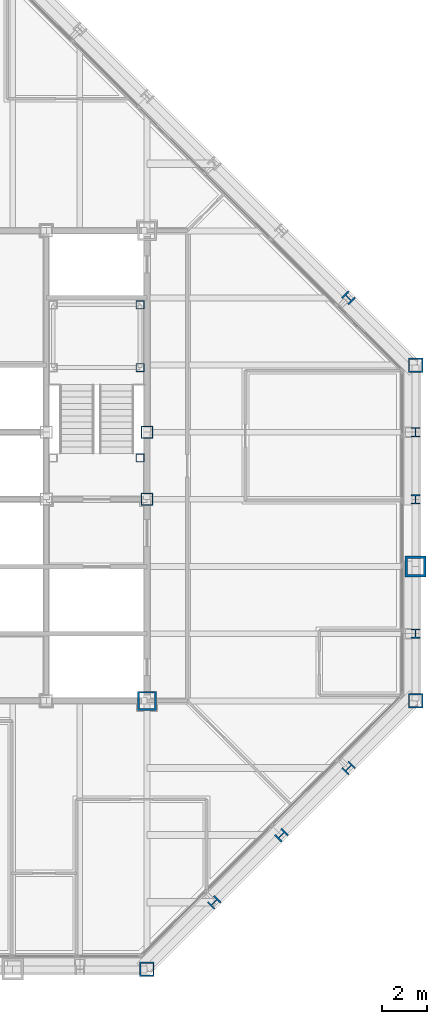
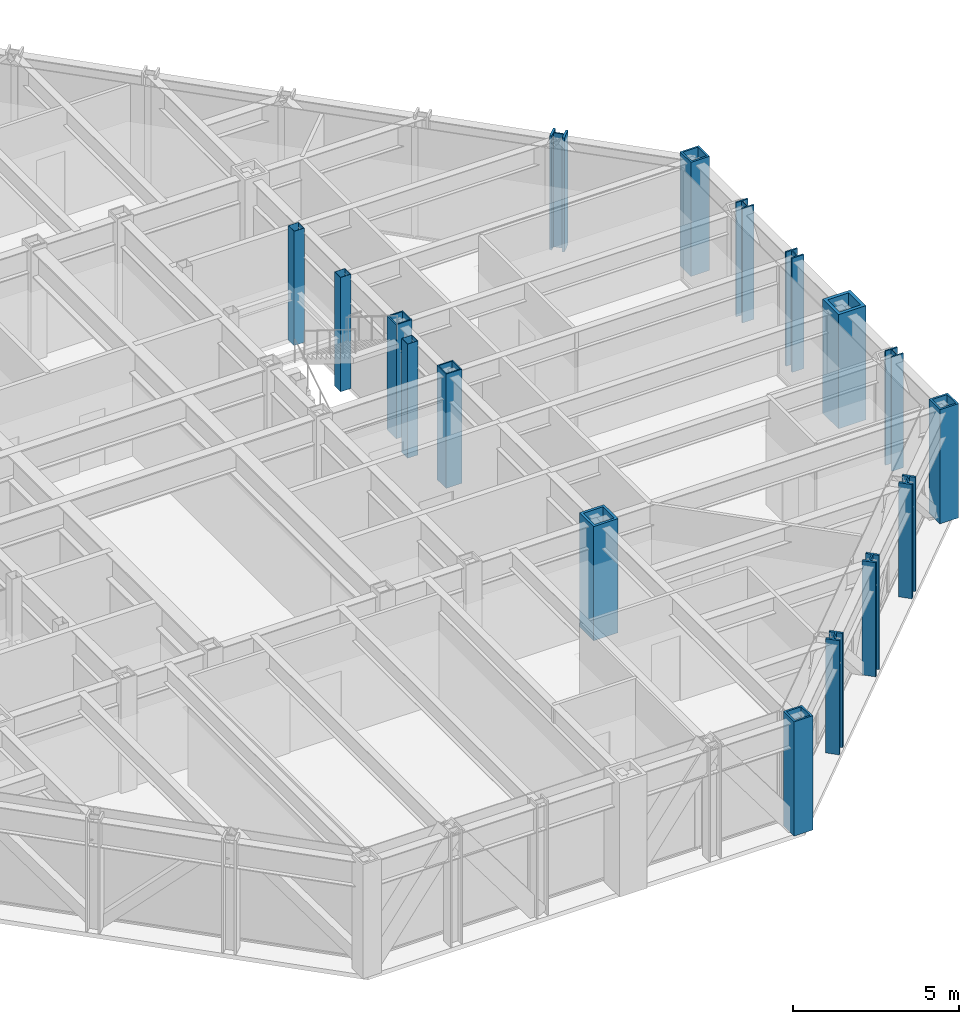
# One storey, part 3 of 16: 17 columns.
"""IFC4 building model written with IfcOpenShell, lengths in metres."""

import ifcopenshell
import ifcopenshell.guid

model = None  # the IFC model being written
_history = None  # IfcOwnerHistory: only IFC2X3 demands one
_inside = {}  # id of a spatial element -> (the spatial element, [elements in it])
_under = {}  # id of a project, library or spatial element -> (it, [spatial elements below it])
_declared = {}  # id of a project -> (the project, [libraries it declares])
_typed = {}  # id of a type object -> (the type object, [elements of that type])
_made_of = {}  # id of a material, layer set ... -> (it, [elements and type objects made of it])


def new_model(schema):
    """Start an empty IFC model of exactly this schema.

    Asked for "IFC4X3", IfcOpenShell would pick the latest addendum, in which some entities
    have other attributes; the version numbers below select the first issue.
    IFC2X3 requires an IfcOwnerHistory on every rooted entity: one is made here for all.
    """
    global model, _history
    if schema == "IFC4X3":
        model = ifcopenshell.file(schema_version=(4, 3, 0, 0))
    else:
        model = ifcopenshell.file(schema=schema)
    _inside.clear()
    _under.clear()
    _declared.clear()
    _typed.clear()
    _made_of.clear()
    _history = None
    if model.schema == "IFC2X3":
        org = make("IfcOrganization", Name="unknown")
        user = make(
            "IfcPersonAndOrganization",
            ThePerson=make("IfcPerson", FamilyName="unknown"),
            TheOrganization=org,
        )
        app = make(
            "IfcApplication",
            ApplicationDeveloper=org,
            Version="unknown",
            ApplicationFullName="unknown",
            ApplicationIdentifier="unknown",
        )
        _history = make(
            "IfcOwnerHistory",
            OwningUser=user,
            OwningApplication=app,
            ChangeAction="ADDED",
            CreationDate=0,
        )
    return model


def make(cls, **values):
    """One entity of the class cls with the attributes given. An attribute that is None is left unset."""
    return model.create_entity(
        cls, **{name: value for name, value in values.items() if value is not None}
    )


def rooted(cls, **values):
    """An entity with a GlobalId (a new one), such as an element, a storey or a relation."""
    return make(cls, GlobalId=ifcopenshell.guid.new(), OwnerHistory=_history, **values)


def si_unit(unit_type, name, prefix=None):
    """IfcSIUnit, for example si_unit("LENGTHUNIT", "METRE", prefix="MILLI")."""
    return make("IfcSIUnit", UnitType=unit_type, Prefix=prefix, Name=name)


def assignment(units):
    """IfcUnitAssignment: the units of a project."""
    return None if units is None else make("IfcUnitAssignment", Units=units)


def point(xyz):
    """IfcCartesianPoint."""
    return None if xyz is None else make("IfcCartesianPoint", Coordinates=xyz)


def direction(xyz):
    """IfcDirection."""
    return None if xyz is None else make("IfcDirection", DirectionRatios=xyz)


def frame(location, z_axis=None, x_axis=None):
    """IfcAxis2Placement3D, a coordinate frame: its origin and axes. An axis left out is left unset."""
    return make(
        "IfcAxis2Placement3D",
        Location=point(location),
        Axis=direction(z_axis),
        RefDirection=direction(x_axis),
    )


def frame_2d(location, x_axis=None):
    """IfcAxis2Placement2D, a coordinate frame in the plane: its origin and x axis."""
    return make(
        "IfcAxis2Placement2D", Location=point(location), RefDirection=direction(x_axis)
    )


def origin():
    """The frame at (0, 0, 0) with its axes left unset."""
    return frame((0.0, 0.0, 0.0))


def origin_2d():
    """The frame at (0, 0) in the plane with its x axis left unset."""
    return frame_2d((0.0, 0.0))


def place(relative_to, where):
    """IfcLocalPlacement: puts the frame where relative to a parent placement (None: the world)."""
    return make(
        "IfcLocalPlacement", PlacementRelTo=relative_to, RelativePlacement=where
    )


def context(
    kind, dimensions, precision=None, world=None, true_north=None, identifier=None
):
    """IfcGeometricRepresentationContext, for example the 3D "Model" context."""
    return make(
        "IfcGeometricRepresentationContext",
        ContextIdentifier=identifier,
        ContextType=kind,
        CoordinateSpaceDimension=dimensions,
        Precision=precision,
        WorldCoordinateSystem=world,
        TrueNorth=true_north,
    )


def subcontext(parent, identifier, kind, view, scale=None):
    """IfcGeometricRepresentationSubContext, for example "Body" below "Model"."""
    return make(
        "IfcGeometricRepresentationSubContext",
        ContextIdentifier=identifier,
        ContextType=kind,
        ParentContext=parent,
        TargetScale=scale,
        TargetView=view,
    )


def project(units=None, contexts=None):
    """IfcProject with its units and contexts."""
    return rooted(
        "IfcProject",
        Name="project",
        RepresentationContexts=contexts,
        UnitsInContext=assignment(units),
    )


def spatial(cls, under=None, at=None, **own):
    """A site, building, storey or space (cls), placed at a placement, below another one or the project."""
    s = rooted(cls, ObjectPlacement=at, **own)
    if under is not None:
        _under.setdefault(under.id(), (under, []))[1].append(s)
    return s


def profile(cls, at=None, kind="AREA", **sizes):
    """A parametric profile (cls). Its sizes go by their IFC names, for example OverallWidth=200.0."""
    return make(cls, ProfileType=kind, Position=at, **sizes)


def hollow_rectangle(**sizes):
    """IfcRectangleHollowProfileDef."""
    return profile("IfcRectangleHollowProfileDef", **sizes)


def i_section(**sizes):
    """IfcIShapeProfileDef."""
    return profile("IfcIShapeProfileDef", **sizes)


def extrude(swept, where, along, depth):
    """IfcExtrudedAreaSolid: the profile swept, set in the frame where, extruded along a direction by depth."""
    return make(
        "IfcExtrudedAreaSolid",
        SweptArea=swept,
        Position=where,
        ExtrudedDirection=direction(along),
        Depth=depth,
    )


def shape(context_of_items, identifier, shape_type, items):
    """IfcShapeRepresentation: the items that make up one representation, for example the "Body"."""
    return make(
        "IfcShapeRepresentation",
        ContextOfItems=context_of_items,
        RepresentationIdentifier=identifier,
        RepresentationType=shape_type,
        Items=items,
    )


def material(Name=None, Category=None):
    """IfcMaterial."""
    return make("IfcMaterial", Name=Name, Category=Category)


def material_profile(
    of_material, cross_section, Name=None, Category=None, Priority=None
):
    """IfcMaterialProfile: a cross section and its material."""
    return make(
        "IfcMaterialProfile",
        Name=Name,
        Material=of_material,
        Profile=cross_section,
        Priority=Priority,
        Category=Category,
    )


def profile_set(profiles, Name=None, composite=None):
    """IfcMaterialProfileSet."""
    return make(
        "IfcMaterialProfileSet",
        Name=Name,
        MaterialProfiles=profiles,
        CompositeProfile=composite,
    )


def made_of(thing, what):
    """Note that an element or type object is made of a material, layer set ...; save() writes the relation."""
    if what is not None:
        _made_of.setdefault(what.id(), (what, []))[1].append(thing)
    return thing


def type_object(cls, material=None, **own):
    """A type object (cls), such as IfcWallType, which elements share."""
    return made_of(rooted(cls, **own), material)


def element(
    cls,
    number,
    at=None,
    inside=None,
    cuts=None,
    type_object=None,
    material=None,
    context=None,
    identifier="Body",
    shape_type=None,
    held_by="IfcProductDefinitionShape",
    body=None,
    shapes=None,
    **own,
):
    """One element of the class cls, such as IfcWall. Its Tag is "e" and its number.

    at: its placement. inside: the storey or other place that contains it. cuts: it is an
    opening in that element (IfcRelVoidsElement). A single representation is given by context,
    identifier, shape_type and body (its items); several are given by shapes. held_by: the class
    of the entity that holds the representations. save() writes the other relations.
    """
    e = rooted(cls, Tag="e%d" % number, ObjectPlacement=at, **own)
    if body is not None:
        shapes = [shape(context, identifier, shape_type, body)]
    if shapes is not None:
        e.Representation = make(held_by, Representations=shapes)
    if inside is not None:
        _inside.setdefault(inside.id(), (inside, []))[1].append(e)
    if cuts is not None:
        rooted(
            "IfcRelVoidsElement", RelatingBuildingElement=cuts, RelatedOpeningElement=e
        )
    if type_object is not None:
        _typed.setdefault(type_object.id(), (type_object, []))[1].append(e)
    return made_of(e, material)


def aggregate(whole, parts):
    """IfcRelAggregates: a whole, such as a stair, and the parts it consists of."""
    return rooted("IfcRelAggregates", RelatingObject=whole, RelatedObjects=parts)


def save(model, path):
    """Write the relations noted so far, then the file.

    IfcRelAggregates (storeys below a building ...), IfcRelContainedInSpatialStructure (elements
    in a storey), IfcRelDefinesByType, IfcRelAssociatesMaterial and IfcRelDeclares: one each for
    every whole, place, type object, material and project.
    """
    for whole, parts in _under.values():
        aggregate(whole, parts)
    for where, things in _inside.values():
        rooted(
            "IfcRelContainedInSpatialStructure",
            RelatedElements=things,
            RelatingStructure=where,
        )
    for kind, things in _typed.values():
        rooted("IfcRelDefinesByType", RelatedObjects=things, RelatingType=kind)
    for what, things in _made_of.values():
        rooted("IfcRelAssociatesMaterial", RelatedObjects=things, RelatingMaterial=what)
    for by, libraries in _declared.values():
        rooted("IfcRelDeclares", RelatingContext=by, RelatedDefinitions=libraries)
    model.write(path)


model = new_model("IFC4")

# Units and contexts
model_context = context("Model", 3, precision=1e-05, world=origin(), true_north=direction((0.0, 1.0)))
body_context = subcontext(model_context, "Body", "Model", "MODEL_VIEW")
ifc_project = project(units=[si_unit("LENGTHUNIT", "METRE"), si_unit("AREAUNIT", "SQUARE_METRE"), si_unit("VOLUMEUNIT", "CUBIC_METRE"), si_unit("PLANEANGLEUNIT", "RADIAN"), si_unit("MASSUNIT", "GRAM", prefix="KILO")], contexts=[model_context])

# Site, building, storey
site_placement = place(None, origin())
site = spatial("IfcSite", under=ifc_project, at=site_placement, CompositionType="ELEMENT")
building_placement = place(site_placement, origin())
building = spatial("IfcBuilding", under=site, at=building_placement, Name="Chuquiago Exchange Tower", CompositionType="ELEMENT")
storey_placement = place(building_placement, frame((0.0, 0.0, 234.89990234375)))
storey = spatial("IfcBuildingStorey", under=building, at=storey_placement, Name="L52", CompositionType="ELEMENT", Elevation=234.89990234375)

# Columns
ifc_material_1 = material(Name="Steel ASTM A992", Category="steel")
ifc_material_profile_1 = material_profile(ifc_material_1, i_section(OverallWidth=0.408935546875, OverallDepth=0.424072265625, WebThickness=0.03271484375, FlangeThickness=0.052490234375, at=origin_2d()), Name="W14X283")
ifc_profile_set_1 = profile_set([ifc_material_profile_1], Name="Steel ASTM A992")
column_type_1 = type_object("IfcColumnType", Name="C8 W14X283", PredefinedType="COLUMN", material=ifc_profile_set_1)
for number, where, z_axis, x_axis, name in (
    (1, (45.0, 15.0, 0.0), (0.0, 0.0, 1.0), (1.0, 0.0, 0.0), "COL-L52-45_15"),
    (2, (45.0, 21.0, 0.0), (0.0, 0.0, 1.0), (1.0, 0.0, 0.0), "COL-L52-45_21"),
    (3, (45.0, 24.0, 0.0), (0.0, 0.0, 1.0), (1.0, 0.0, 0.0), "COL-L52-45_24"),
):
    element("IfcColumn", number, at=place(storey_placement, frame(where, z_axis=z_axis, x_axis=x_axis)), inside=storey, type_object=column_type_1, Name=name, PredefinedType="COLUMN", context=body_context, shape_type="SweptSolid", body=[
        extrude(i_section(OverallWidth=0.408935546875, OverallDepth=0.424072265625, WebThickness=0.03271484375, FlangeThickness=0.052490234375, at=origin_2d()), origin(), (0.0, 0.0, 1.0), 4.2001953125),
    ])
ifc_material_2 = material(Name="Steel ASTM A572 Grade 50", Category="steel")
ifc_material_profile_2 = material_profile(ifc_material_2, hollow_rectangle(XDim=0.85009765625, YDim=0.85009765625, WallThickness=0.0849609375, at=origin_2d()), Name="BOX850X850X85")
ifc_profile_set_2 = profile_set([ifc_material_profile_2], Name="Steel ASTM A572 Grade 50")
column_type_2 = type_object("IfcColumnType", Name="CC6 BOX850X850X85", PredefinedType="COLUMN", material=ifc_profile_set_2)
column_1_placement = place(storey_placement, frame((33.0, 12.0, 0.0), z_axis=(0.0, 0.0, 1.0), x_axis=(1.0, 0.0, 0.0)))
element("IfcColumn", 4, at=column_1_placement, inside=storey, type_object=column_type_2, Name="CCOL-L52-33_12", PredefinedType="COLUMN", context=body_context, shape_type="SweptSolid", body=[
    extrude(hollow_rectangle(XDim=0.85009765625, YDim=0.85009765625, WallThickness=0.0849609375, at=origin_2d()), origin(), (0.0, 0.0, 1.0), 4.2001953125),
])
ifc_material_3 = material(Name="Steel ASTM A572 Grade 50", Category="steel")
ifc_material_profile_3 = material_profile(ifc_material_3, hollow_rectangle(XDim=0.550048828125, YDim=0.550048828125, WallThickness=0.044921875, at=origin_2d()), Name="BOX550X550X45")
ifc_profile_set_3 = profile_set([ifc_material_profile_3], Name="Steel ASTM A572 Grade 50")
column_type_3 = type_object("IfcColumnType", Name="CC8 BOX550X550X45", PredefinedType="COLUMN", material=ifc_profile_set_3)
for number, where, z_axis, x_axis, name in (
    (5, (33.0, 21.0, 0.0), (0.0, 0.0, 1.0), (1.0, 0.0, 0.0), "CCOL-L52-33_21"),
    (6, (33.0, 24.0, 0.0), (0.0, 0.0, 1.0), (1.0, 0.0, 0.0), "CCOL-L52-33_24"),
):
    element("IfcColumn", number, at=place(storey_placement, frame(where, z_axis=z_axis, x_axis=x_axis)), inside=storey, type_object=column_type_3, Name=name, PredefinedType="COLUMN", context=body_context, shape_type="SweptSolid", body=[
        extrude(hollow_rectangle(XDim=0.550048828125, YDim=0.550048828125, WallThickness=0.044921875, at=origin_2d()), origin(), (0.0, 0.0, 1.0), 4.2001953125),
    ])
ifc_material_4 = material(Name="Steel ASTM A992", Category="steel")
ifc_material_profile_4 = material_profile(ifc_material_4, i_section(OverallWidth=0.421630859375, OverallDepth=0.46484375, WebThickness=0.044921875, FlangeThickness=0.072509765625, at=origin_2d()), Name="W14X398")
ifc_profile_set_4 = profile_set([ifc_material_profile_4], Name="Steel ASTM A992")
column_type_4 = type_object("IfcColumnType", Name="CK7 W14X398", PredefinedType="COLUMN", material=ifc_profile_set_4)
for number, where, z_axis, x_axis, name in (
    (7, (36.0, 3.0, 0.0), (0.0, 0.0, 1.0), (0.707106781187, -0.707106781187, 0.0), "COL-L52-36_3"),
    (8, (39.0, 6.0, 0.0), (0.0, 0.0, 1.0), (0.707106781187, -0.707106781187, 0.0), "COL-L52-39_6"),
    (9, (42.0, 9.0, 0.0), (0.0, 0.0, 1.0), (0.707106781187, -0.707106781187, 0.0), "COL-L52-42_9"),
    (10, (42.0, 30.0, 0.0), (0.0, 0.0, 1.0), (0.707106781187, 0.707106781187, 0.0), "COL-L52-42_30"),
):
    element("IfcColumn", number, at=place(storey_placement, frame(where, z_axis=z_axis, x_axis=x_axis)), inside=storey, type_object=column_type_4, Name=name, PredefinedType="COLUMN", context=body_context, shape_type="SweptSolid", body=[
        extrude(i_section(OverallWidth=0.421630859375, OverallDepth=0.46484375, WebThickness=0.044921875, FlangeThickness=0.072509765625, at=origin_2d()), origin(), (0.0, 0.0, 1.0), 4.2001953125),
    ])
ifc_material_5 = material(Name="Steel ASTM A572 Grade 50", Category="steel")
ifc_material_profile_5 = material_profile(ifc_material_5, hollow_rectangle(XDim=0.64990234375, YDim=0.64990234375, WallThickness=0.06494140625, at=origin_2d()), Name="BOX650X650X65")
ifc_profile_set_5 = profile_set([ifc_material_profile_5], Name="Steel ASTM A572 Grade 50")
column_type_5 = type_object("IfcColumnType", Name="CN2 BOX650X650X65", PredefinedType="COLUMN", material=ifc_profile_set_5)
for number, where, z_axis, x_axis, name in (
    (11, (33.0, 0.0, 0.0), (0.0, 0.0, 1.0), (0.0, -1.0, 0.0), "COL-L52-33_0"),
    (12, (45.0, 12.0, 0.0), (0.0, 0.0, 1.0), (1.0, 0.0, 0.0), "COL-L52-45_12"),
    (13, (45.0, 27.0, 0.0), (0.0, 0.0, 1.0), (1.0, 0.0, 0.0), "COL-L52-45_27"),
):
    element("IfcColumn", number, at=place(storey_placement, frame(where, z_axis=z_axis, x_axis=x_axis)), inside=storey, type_object=column_type_5, Name=name, PredefinedType="COLUMN", context=body_context, shape_type="SweptSolid", body=[
        extrude(hollow_rectangle(XDim=0.64990234375, YDim=0.64990234375, WallThickness=0.06494140625, at=origin_2d()), origin(), (0.0, 0.0, 1.0), 4.2001953125),
    ])
ifc_material_6 = material(Name="Steel ASTM A572 Grade 42", Category="steel")
ifc_material_profile_6 = material_profile(ifc_material_6, hollow_rectangle(XDim=0.949951171875, YDim=0.949951171875, WallThickness=0.110107421875, at=origin_2d()), Name="BOX950X950X110")
ifc_profile_set_6 = profile_set([ifc_material_profile_6], Name="Steel ASTM A572 Grade 42")
column_type_6 = type_object("IfcColumnType", Name="CT1 BOX950X950X110", PredefinedType="COLUMN", material=ifc_profile_set_6)
column_2_placement = place(storey_placement, frame((45.0, 18.0, 0.0), z_axis=(0.0, 0.0, 1.0), x_axis=(1.0, 0.0, 0.0)))
element("IfcColumn", 14, at=column_2_placement, inside=storey, type_object=column_type_6, Name="COL-L52-45_18", PredefinedType="COLUMN", context=body_context, shape_type="SweptSolid", body=[
    extrude(hollow_rectangle(XDim=0.949951171875, YDim=0.949951171875, WallThickness=0.110107421875, at=origin_2d()), origin(), (0.0, 0.0, 1.0), 4.2001953125),
])
ifc_material_7 = material(Name="Steel ASTM A500 Grade C", Category="steel")
ifc_material_profile_7 = material_profile(ifc_material_7, hollow_rectangle(XDim=0.355712890625, YDim=0.355712890625, WallThickness=0.0087890625, at=origin_2d()), Name="HSS14X14X3/8")
ifc_profile_set_7 = profile_set([ifc_material_profile_7], Name="Steel ASTM A500 Grade C")
column_type_7 = type_object("IfcColumnType", Name="PT1 HSS14X14X3/8", PredefinedType="COLUMN", material=ifc_profile_set_7)
for number, where, z_axis, x_axis, name in (
    (15, (32.68994140625, 29.68994140625, 0.0), (0.0, 0.0, 1.0), (1.0, 0.0, 0.0), "Stair ST2 L52 landing post"),
    (16, (32.68994140625, 26.889892578125, 0.0), (0.0, 0.0, 1.0), (1.0, 0.0, 0.0), "Stair ST2 L52 landing post"),
    (17, (32.68994140625, 22.85009765625, 0.0), (0.0, 0.0, 1.0), (1.0, 0.0, 0.0), "Stair ST2 L52 landing post"),
):
    element("IfcColumn", number, at=place(storey_placement, frame(where, z_axis=z_axis, x_axis=x_axis)), inside=storey, type_object=column_type_7, Name=name, PredefinedType="COLUMN", context=body_context, shape_type="SweptSolid", body=[
        extrude(hollow_rectangle(XDim=0.355712890625, YDim=0.355712890625, WallThickness=0.0087890625, at=origin_2d()), origin(), (0.0, 0.0, 1.0), 4.2001953125),
    ])

save(model, "model.ifc")
